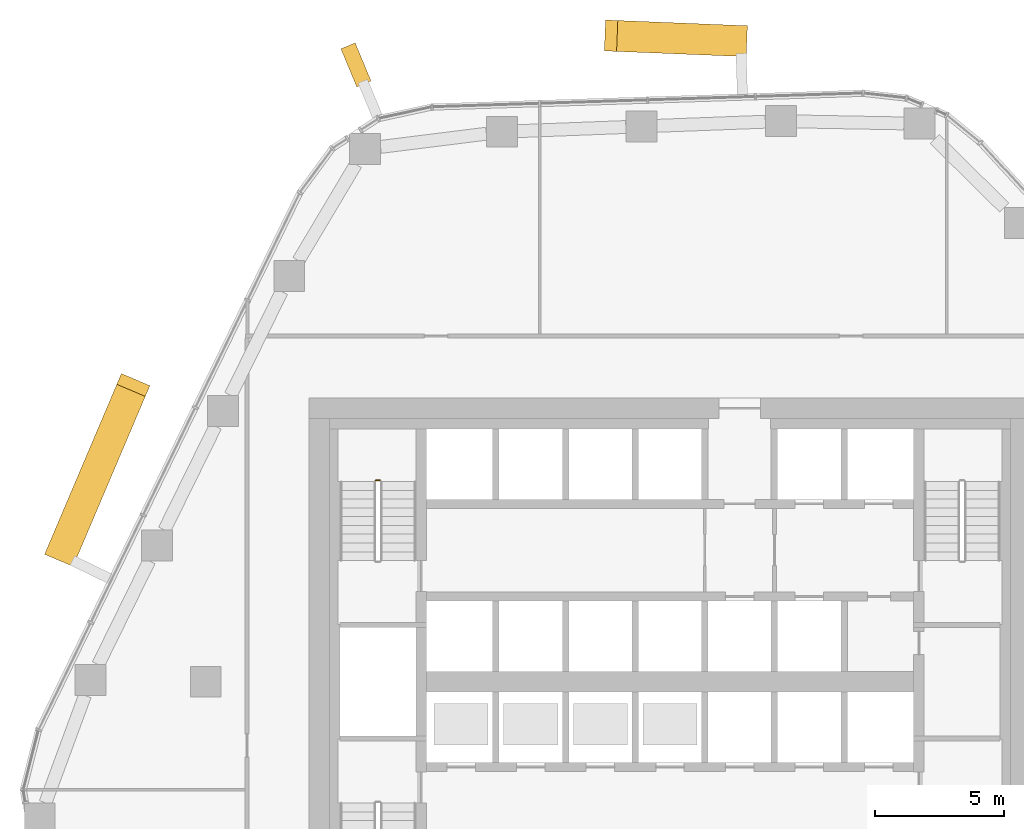
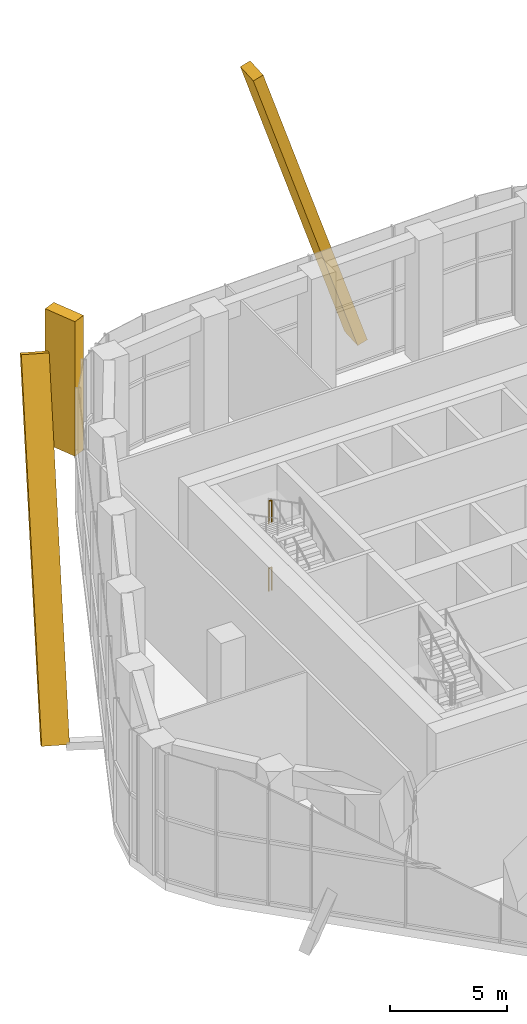
# One storey, part 18 of 20: 3 coverings, 2 railings, 3 elements without a shape of their own.
"""IFC4 building model written with IfcOpenShell, lengths in metres."""

from ifc_helpers import new_model, si_unit, direction, frame, origin, origin_2d, place, context, subcontext, project, spatial, rectangle, circle, extrude, material, layer, layer_set, material_profile, profile_set, type_object, element, aggregate, save


model = new_model("IFC4")

# Units and contexts
model_context = context("Model", 3, precision=1e-05, world=origin(), true_north=direction((0.0, 1.0)))
body_context = subcontext(model_context, "Body", "Model", "MODEL_VIEW")
ifc_project = project(units=[si_unit("LENGTHUNIT", "METRE"), si_unit("AREAUNIT", "SQUARE_METRE"), si_unit("VOLUMEUNIT", "CUBIC_METRE"), si_unit("PLANEANGLEUNIT", "RADIAN"), si_unit("MASSUNIT", "GRAM", prefix="KILO")], contexts=[model_context])

# Site, building, storey
site_placement = place(None, origin())
site = spatial("IfcSite", under=ifc_project, at=site_placement, CompositionType="ELEMENT")
building_placement = place(site_placement, origin())
building = spatial("IfcBuilding", under=site, at=building_placement, Name="Dongbaek Canopy Tower", CompositionType="ELEMENT")
storey_placement = place(building_placement, frame((0.0, 0.0, 151.60009765625)))
storey = spatial("IfcBuildingStorey", under=building, at=storey_placement, Name="L33", CompositionType="ELEMENT", Elevation=151.60009765625)

# Curtain wall, covering
ifc_material_1 = material(Name="Aluminium 6063-T6 pale anodised", Category="aluminium")
ifc_layer = layer(ifc_material_1, 0.25)
ifc_layer_set = layer_set([ifc_layer], Name="CW-4 sky-lobby curtain wall")
curtain_wall_type = type_object("IfcCurtainWallType", Name="CW-4 sky-lobby curtain wall", PredefinedType="NOTDEFINED", material=ifc_layer_set)
curtain_wall_1_placement = place(storey_placement, origin())
curtain_wall_1 = element("IfcCurtainWall", 1, at=curtain_wall_1_placement, inside=storey, type_object=curtain_wall_type, Name="CW-4 curtain wall K2.1a", PredefinedType="NOTDEFINED")
ifc_material_2 = material(Name="Aluminium 6063-T6 pale metal fin", Category="aluminium")
ifc_material_profile_1 = material_profile(ifc_material_2, rectangle(XDim=1.60009765625, YDim=0.60009765625, at=origin_2d()), Name="Corner fin CN1 600 x 1600 pale metal")
ifc_profile_set_1 = profile_set([ifc_material_profile_1], Name="Aluminium 6063-T6 pale metal fin")
covering_type_1 = type_object("IfcCoveringType", Name="Corner fin CN1 600 x 1600 pale metal", PredefinedType="CLADDING", material=ifc_profile_set_1)
covering_1_placement = place(storey_placement, frame((-12.175048828125, 23.915283203125, -0.22509765625), z_axis=(0.0, 0.0, 1.0), x_axis=(-0.383857004195, 0.923392549423, 0.0)))
covering_1 = element("IfcCovering", 2, at=covering_1_placement, type_object=covering_type_1, Name="Corner fin L33 L33 K2", PredefinedType="CLADDING", context=body_context, shape_type="SweptSolid", body=[
    extrude(rectangle(XDim=1.60009765625, YDim=0.60009765625, at=origin_2d()), origin(), (0.0, 0.0, 1.0), 7.014892578125),
])
aggregate(curtain_wall_1, [covering_1])

curtain_wall_2_placement = place(storey_placement, origin())
curtain_wall_2 = element("IfcCurtainWall", 3, at=curtain_wall_2_placement, inside=storey, type_object=curtain_wall_type, Name="CW-4 curtain wall F1.1", PredefinedType="NOTDEFINED")
ifc_material_3 = material(Name="Aluminium 6063-T6 pale metal fin", Category="aluminium")
ifc_material_profile_2 = material_profile(ifc_material_3, rectangle(XDim=1.199951171875, YDim=0.5, at=origin_2d()), Name="Crease fin CF1 500 x 1200 pale metal")
ifc_profile_set_2 = profile_set([ifc_material_profile_2], Name="Aluminium 6063-T6 pale metal fin")
covering_type_2 = type_object("IfcCoveringType", Name="Crease fin CF1 500 x 1200 pale metal", PredefinedType="CLADDING", material=ifc_profile_set_2)
covering_2_placement = place(storey_placement, frame((2.74072265625, 24.84423828125, -0.22509765625), z_axis=(-0.309576674496, 0.012512401903, 0.950792155209), x_axis=(-0.040384807149, -0.999184200912, 0.0)))
covering_2 = element("IfcCovering", 4, at=covering_2_placement, type_object=covering_type_2, Name="Crease fin L33 L36 F1", PredefinedType="CLADDING", context=body_context, shape_type="SweptSolid", body=[
    extrude(rectangle(XDim=1.199951171875, YDim=0.5, at=origin_2d()), origin(), (0.0, 0.0, 1.0), 16.23388671875),
])
aggregate(curtain_wall_2, [covering_2])

curtain_wall_3_placement = place(storey_placement, origin())
curtain_wall_3 = element("IfcCurtainWall", 5, at=curtain_wall_3_placement, inside=storey, type_object=curtain_wall_type, Name="CW-4 curtain wall F2.1", PredefinedType="NOTDEFINED")
covering_3_placement = place(storey_placement, frame((-23.606689453125, 4.914794921875, -0.22509765625), z_axis=(0.164559796361, 0.387359039354, 0.907123502095), x_axis=(-0.920388895877, 0.391004194793, 0.0)))
covering_3 = element("IfcCovering", 6, at=covering_3_placement, type_object=covering_type_2, Name="Crease fin L33 L36 F2", PredefinedType="CLADDING", context=body_context, shape_type="SweptSolid", body=[
    extrude(rectangle(XDim=1.199951171875, YDim=0.5, at=origin_2d()), origin(), (0.0, 0.0, 1.0), 17.015380859375),
])
aggregate(curtain_wall_3, [covering_3])

# Railings
ifc_material_4 = material(Name="Stainless steel tube and balusters", Category="steel")
railing_type = type_object("IfcRailingType", Name="Stair guard 1200", PredefinedType="GUARDRAIL", material=ifc_material_4)
for number, where, name in (
    (7, (-11.25, 7.81005859375, 1.75), "L33 ST-C stair guard 2"),
    (8, (-11.25, 7.81005859375, 5.25), "L33 ST-C stair guard 6"),
):
    element("IfcRailing", number, at=place(storey_placement, frame(where)), inside=storey, type_object=railing_type, Name=name, PredefinedType="GUARDRAIL", context=body_context, shape_type="SweptSolid", body=[
        extrude(circle(Radius=0.02392578125, at=origin_2d()), frame((0.0, 0.0, 1.17578125), z_axis=(-1.0, 0.0, 0.0), x_axis=(0.0, -1.0, 0.0)), (0.0, 0.0, 1.0), 0.14990234375),
        extrude(circle(Radius=0.02099609375, at=origin_2d()), origin(), (0.0, 0.0, 1.0), 1.15185546875),
        extrude(circle(Radius=0.02099609375, at=origin_2d()), frame((-0.14990234375, 0.0, 0.0)), (0.0, 0.0, 1.0), 1.15185546875),
    ])

save(model, "model.ifc")
